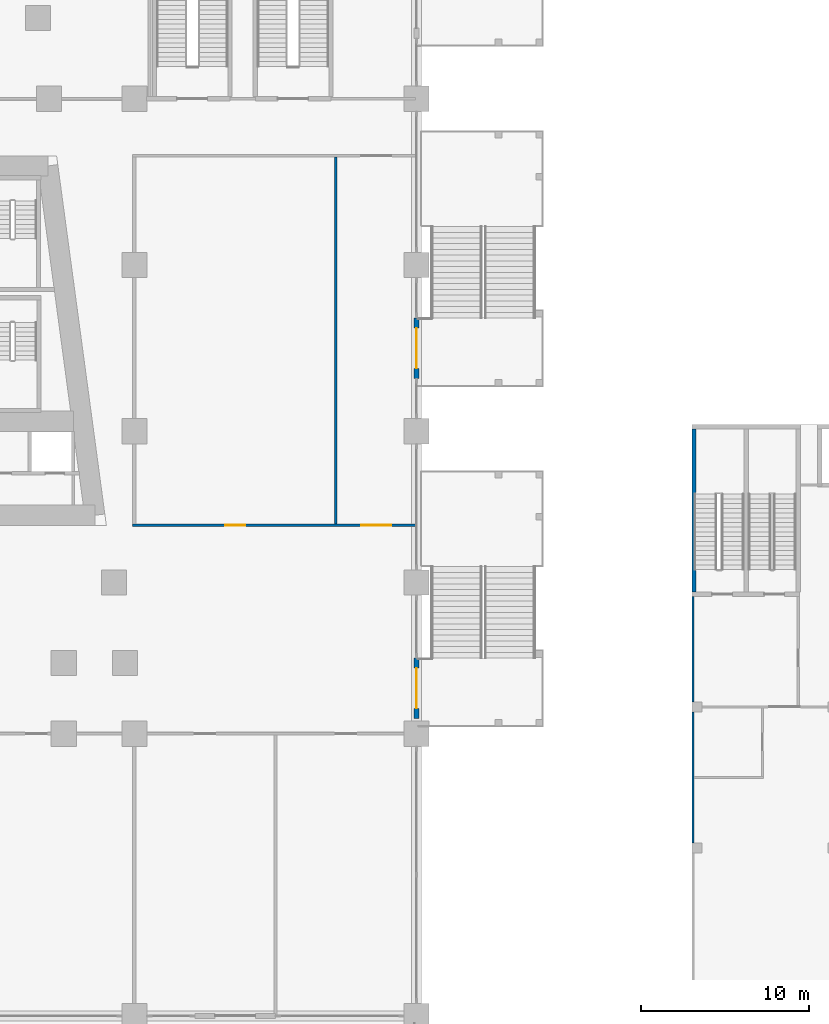
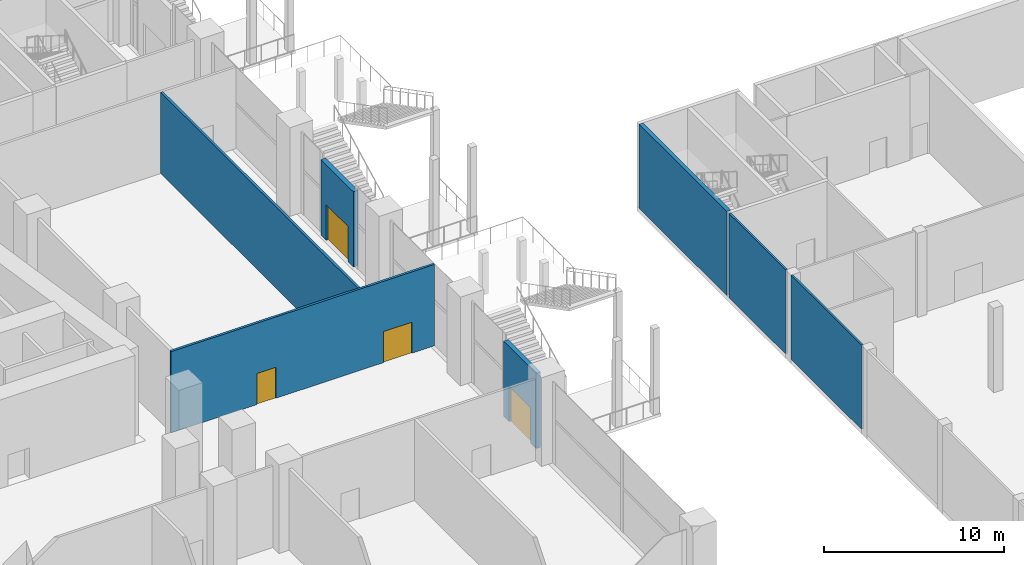
# One storey, part 24 of 47: 7 walls, 4 doors, 4 openings.
"""IFC4 building model written with IfcOpenShell, lengths in metres."""

from ifc_helpers import new_model, si_unit, direction, frame, frame_2d, origin, place, context, subcontext, project, spatial, rectangle, extrude, material, layer, layer_set, type_object, element, fill, save


model = new_model("IFC4")

# Units and contexts
model_context = context("Model", 3, precision=1e-05, world=origin(), true_north=direction((0.0, 1.0)))
body_context = subcontext(model_context, "Body", "Model", "MODEL_VIEW")
ifc_project = project(units=[si_unit("LENGTHUNIT", "METRE"), si_unit("AREAUNIT", "SQUARE_METRE"), si_unit("VOLUMEUNIT", "CUBIC_METRE"), si_unit("PLANEANGLEUNIT", "RADIAN"), si_unit("MASSUNIT", "GRAM", prefix="KILO")], contexts=[model_context])

# Site, building, storey
site_placement = place(None, origin())
site = spatial("IfcSite", under=ifc_project, at=site_placement, CompositionType="ELEMENT")
building_placement = place(site_placement, origin())
building = spatial("IfcBuilding", under=site, at=building_placement, Name="Candeia Pilgrim Tower and Theatre", CompositionType="ELEMENT")
storey_placement = place(building_placement, frame((0.0, 0.0, 23.0)))
storey = spatial("IfcBuildingStorey", under=building, at=storey_placement, Name="L03", CompositionType="ELEMENT", Elevation=23.0)

# Wall, opening, door
ifc_material_1 = material(Name="Ceramic block masonry", Category="masonry")
ifc_layer_1 = layer(ifc_material_1, 0.300048828125)
ifc_layer_set_1 = layer_set([ifc_layer_1], Name="EW2 entrance infill wall 300")
wall_type_1 = type_object("IfcWallType", Name="EW2 entrance infill wall 300", PredefinedType="SOLIDWALL", material=ifc_layer_set_1)
wall_1_placement = place(storey_placement, frame((159.60009765625, 122.75, 0.0), z_axis=(0.0, 0.0, 1.0), x_axis=(0.0, -1.0, 0.0)))
wall_1 = element("IfcWall", 1, at=wall_1_placement, inside=storey, type_object=wall_type_1, Name="Entrance wall L03", PredefinedType="SOLIDWALL", context=body_context, shape_type="SweptSolid", body=[
    extrude(rectangle(XDim=3.60009765625, YDim=0.300048828125, at=frame_2d((1.800048828125, 0.0))), origin(), (0.0, 0.0, 1.0), 5.10009765625),
])
opening_1_placement = place(wall_1_placement, frame((0.60009765625, 0.0, 0.0)))
opening_1 = element("IfcOpeningElement", 2, at=opening_1_placement, cuts=wall_1, Name="Opening L03-ED069", PredefinedType="OPENING", context=body_context, shape_type="SweptSolid", body=[
    extrude(rectangle(XDim=2.39990234375, YDim=2.39990234375, at=frame_2d((1.199951171875, 1.199951171875))), frame((0.0, 0.16015625, 0.0), z_axis=(0.0, -1.0, 0.0), x_axis=(1.0, 0.0, 0.0)), (0.0, 0.0, 1.0), 0.320068359375),
])
ifc_material_2 = material(Name="Aluminium framed glazed door", Category="aluminium")
door_type_1 = type_object("IfcDoorType", Name="ED entrance double door 2400x2400", OperationType="DOUBLE_DOOR_DOUBLE_SWING", PredefinedType="DOOR", material=ifc_material_2)
door_1_placement = place(opening_1_placement, origin())
door_1 = element("IfcDoor", 3, at=door_1_placement, inside=storey, type_object=door_type_1, Name="Entrance door L03-ED069", OperationType="DOUBLE_DOOR_DOUBLE_SWING", OverallHeight=2.39990234375, OverallWidth=2.39990234375, PredefinedType="DOOR", context=body_context, shape_type="SweptSolid", body=[
    extrude(rectangle(XDim=2.39990234375, YDim=2.39990234375, at=frame_2d((1.199951171875, 1.199951171875))), frame((0.0, 0.02490234375, 0.0), z_axis=(0.0, -1.0, 0.0), x_axis=(1.0, 0.0, 0.0)), (0.0, 0.0, 1.0), 0.050048828125),
])
fill(opening_1, door_1)

wall_2_placement = place(storey_placement, frame((159.60009765625, 102.5, 0.0), z_axis=(0.0, 0.0, 1.0), x_axis=(0.0, -1.0, 0.0)))
wall_2 = element("IfcWall", 4, at=wall_2_placement, inside=storey, type_object=wall_type_1, Name="Entrance wall L03", PredefinedType="SOLIDWALL", context=body_context, shape_type="SweptSolid", body=[
    extrude(rectangle(XDim=3.60009765625, YDim=0.300048828125, at=frame_2d((1.800048828125, 0.0))), origin(), (0.0, 0.0, 1.0), 5.10009765625),
])
opening_2_placement = place(wall_2_placement, frame((0.60009765625, 0.0, 0.0)))
opening_2 = element("IfcOpeningElement", 5, at=opening_2_placement, cuts=wall_2, Name="Opening L03-ED070", PredefinedType="OPENING", context=body_context, shape_type="SweptSolid", body=[
    extrude(rectangle(XDim=2.39990234375, YDim=2.39990234375, at=frame_2d((1.199951171875, 1.199951171875))), frame((0.0, 0.16015625, 0.0), z_axis=(0.0, -1.0, 0.0), x_axis=(1.0, 0.0, 0.0)), (0.0, 0.0, 1.0), 0.320068359375),
])
door_2_placement = place(opening_2_placement, origin())
door_2 = element("IfcDoor", 6, at=door_2_placement, inside=storey, type_object=door_type_1, Name="Entrance door L03-ED070", OperationType="DOUBLE_DOOR_DOUBLE_SWING", OverallHeight=2.39990234375, OverallWidth=2.39990234375, PredefinedType="DOOR", context=body_context, shape_type="SweptSolid", body=[
    extrude(rectangle(XDim=2.39990234375, YDim=2.39990234375, at=frame_2d((1.199951171875, 1.199951171875))), frame((0.0, 0.02490234375, 0.0), z_axis=(0.0, -1.0, 0.0), x_axis=(1.0, 0.0, 0.0)), (0.0, 0.0, 1.0), 0.050048828125),
])
fill(opening_2, door_2)

# Wall, openings, doors
ifc_material_3 = material(Name="Gypsum board partition on steel studs", Category="steel")
ifc_layer_2 = layer(ifc_material_3, 0.14990234375)
ifc_layer_set_2 = layer_set([ifc_layer_2], Name="PW-150 lobby wall")
wall_type_2 = type_object("IfcWallType", Name="PW-150 lobby wall", PredefinedType="PARTITIONING", material=ifc_layer_set_2)
wall_3_placement = place(storey_placement, frame((142.699951171875, 110.39990234375, 0.0), z_axis=(0.0, 0.0, 1.0), x_axis=(1.0, 0.0, 0.0)))
wall_3 = element("IfcWall", 7, at=wall_3_placement, inside=storey, type_object=wall_type_2, Name="Lobby wall L03-004", PredefinedType="PARTITIONING", context=body_context, shape_type="SweptSolid", body=[
    extrude(rectangle(XDim=16.85009765625, YDim=0.14990234375, at=frame_2d((8.425048828125, 0.0))), origin(), (0.0, 0.0, 1.0), 5.5),
])
opening_3_placement = place(wall_3_placement, frame((5.5, 0.0, 0.0)))
opening_3 = element("IfcOpeningElement", 8, at=opening_3_placement, cuts=wall_3, Name="Opening L03-D010", PredefinedType="OPENING", context=body_context, shape_type="SweptSolid", body=[
    extrude(rectangle(XDim=1.199951171875, YDim=2.10009765625, at=frame_2d((0.60009765625, 1.050048828125))), frame((0.0, 0.0849609375, 0.0), z_axis=(0.0, -1.0, 0.0), x_axis=(1.0, 0.0, 0.0)), (0.0, 0.0, 1.0), 0.169921875),
])
opening_4_placement = place(wall_3_placement, frame((13.60009765625, 0.0, 0.0)))
opening_4 = element("IfcOpeningElement", 9, at=opening_4_placement, cuts=wall_3, Name="Opening L03-D028", PredefinedType="OPENING", context=body_context, shape_type="SweptSolid", body=[
    extrude(rectangle(XDim=1.800048828125, YDim=2.10009765625, at=frame_2d((0.89990234375, 1.050048828125))), frame((0.0, 0.0849609375, 0.0), z_axis=(0.0, -1.0, 0.0), x_axis=(1.0, 0.0, 0.0)), (0.0, 0.0, 1.0), 0.169921875),
])
ifc_material_4 = material(Name="Steel fire door set", Category="steel")
door_type_2 = type_object("IfcDoorType", Name="D-1200-FD30S", OperationType="NOTDEFINED", PredefinedType="DOOR", material=ifc_material_4)
door_3_placement = place(opening_3_placement, origin())
door_3 = element("IfcDoor", 10, at=door_3_placement, inside=storey, type_object=door_type_2, Name="Door L03-D010", OperationType="SINGLE_SWING_LEFT", OverallHeight=2.10009765625, OverallWidth=1.199951171875, PredefinedType="DOOR", context=body_context, shape_type="SweptSolid", body=[
    extrude(rectangle(XDim=1.199951171875, YDim=2.10009765625, at=frame_2d((0.60009765625, 1.050048828125))), frame((0.0, 0.02490234375, 0.0), z_axis=(0.0, -1.0, 0.0), x_axis=(1.0, 0.0, 0.0)), (0.0, 0.0, 1.0), 0.050048828125),
])
fill(opening_3, door_3)
door_type_3 = type_object("IfcDoorType", Name="D-1800-FD60", OperationType="NOTDEFINED", PredefinedType="DOOR", material=ifc_material_4)
door_4_placement = place(opening_4_placement, origin())
door_4 = element("IfcDoor", 11, at=door_4_placement, inside=storey, type_object=door_type_3, Name="Door L03-D028", OperationType="SINGLE_SWING_LEFT", OverallHeight=2.10009765625, OverallWidth=1.800048828125, PredefinedType="DOOR", context=body_context, shape_type="SweptSolid", body=[
    extrude(rectangle(XDim=1.800048828125, YDim=2.10009765625, at=frame_2d((0.89990234375, 1.050048828125))), frame((0.0, 0.02490234375, 0.0), z_axis=(0.0, -1.0, 0.0), x_axis=(1.0, 0.0, 0.0)), (0.0, 0.0, 1.0), 0.050048828125),
])
fill(opening_4, door_4)

# Walls
ifc_layer_3 = layer(ifc_material_3, 0.14990234375)
ifc_layer_set_3 = layer_set([ifc_layer_3], Name="PW-150 unit wall")
wall_type_3 = type_object("IfcWallType", Name="PW-150 unit wall", PredefinedType="PARTITIONING", material=ifc_layer_set_3)
wall_4_placement = place(storey_placement, frame((154.800048828125, 110.47509765625, 0.0), z_axis=(0.0, 0.0, 1.0), x_axis=(0.0, 1.0, 0.0)))
element("IfcWall", 12, at=wall_4_placement, inside=storey, type_object=wall_type_3, Name="Unit wall L03-101", PredefinedType="PARTITIONING", context=body_context, shape_type="SweptSolid", body=[
    extrude(rectangle(XDim=21.849853515625, YDim=0.14990234375, at=frame_2d((10.9248046875, 0.0))), origin(), (0.0, 0.0, 1.0), 5.5),
])
ifc_material_5 = material(Name="Gypsum board on steel studs", Category="steel")
ifc_layer_4 = layer(ifc_material_5, 0.125)
ifc_layer_set_4 = layer_set([ifc_layer_4], Name="Partition 125")
wall_type_4 = type_object("IfcWallType", Name="Partition 125", PredefinedType="PARTITIONING", material=ifc_layer_set_4)
wall_5_placement = place(storey_placement, frame((176.0625, 91.5, 0.0), z_axis=(0.0, 0.0, 1.0), x_axis=(0.0, 1.0, 0.0)))
element("IfcWall", 13, at=wall_5_placement, inside=storey, type_object=wall_type_4, Name="T-L03-W039", PredefinedType="PARTITIONING", context=body_context, shape_type="SweptSolid", body=[
    extrude(rectangle(XDim=7.800048828125, YDim=0.125, at=frame_2d((3.89990234375, 0.0))), origin(), (0.0, 0.0, 1.0), 5.699951171875),
])
wall_6_placement = place(storey_placement, frame((176.0625, 99.89990234375, 0.0), z_axis=(0.0, 0.0, 1.0), x_axis=(0.0, 1.0, 0.0)))
element("IfcWall", 14, at=wall_6_placement, inside=storey, type_object=wall_type_4, Name="T-L03-W040", PredefinedType="PARTITIONING", context=body_context, shape_type="SweptSolid", body=[
    extrude(rectangle(XDim=6.275146484375, YDim=0.125, at=frame_2d((3.1376953125, 0.0))), origin(), (0.0, 0.0, 1.0), 5.699951171875),
])
ifc_material_6 = material(Name="Concrete C35/45", Category="concrete")
ifc_layer_5 = layer(ifc_material_6, 0.25)
ifc_layer_set_5 = layer_set([ifc_layer_5], Name="RC wall 250 C35/45")
wall_type_5 = type_object("IfcWallType", Name="RC wall 250 C35/45", PredefinedType="SOLIDWALL", material=ifc_layer_set_5)
wall_7_placement = place(storey_placement, frame((176.125, 106.425048828125, 0.0), z_axis=(0.0, 0.0, 1.0), x_axis=(0.0, 1.0, 0.0)))
element("IfcWall", 15, at=wall_7_placement, inside=storey, type_object=wall_type_5, Name="T-L03-W041", PredefinedType="SOLIDWALL", context=body_context, shape_type="SweptSolid", body=[
    extrude(rectangle(XDim=9.724853515625, YDim=0.25, at=frame_2d((4.8623046875, 0.0))), origin(), (0.0, 0.0, 1.0), 5.699951171875),
])

save(model, "model.ifc")
